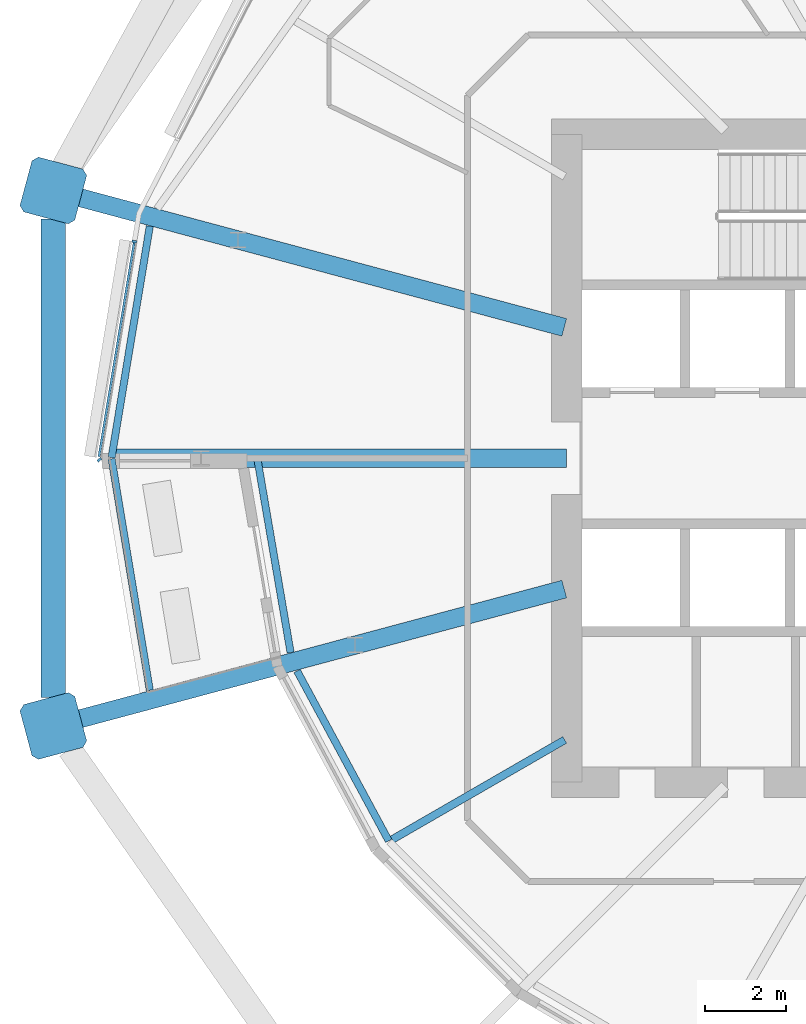
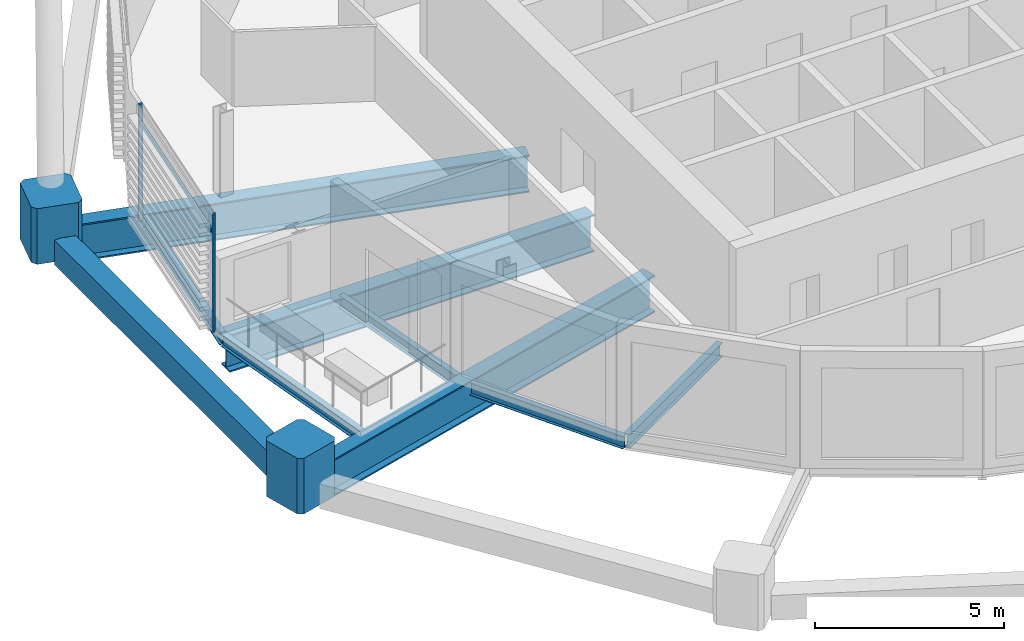
# One storey, part 5 of 38: 9 beams, 5 members, 1 element without a shape of its own.
"""IFC4 building model written with IfcOpenShell, lengths in metres."""

from ifc_helpers import new_model, si_unit, direction, frame, origin, origin_2d, place, context, subcontext, project, spatial, polyline, rectangle, hollow_rectangle, i_section, outline, extrude, material, material_profile, profile_set, type_object, element, aggregate, save


model = new_model("IFC4")

# Units and contexts
model_context = context("Model", 3, precision=1e-05, world=origin(), true_north=direction((0.0, 1.0)))
body_context = subcontext(model_context, "Body", "Model", "MODEL_VIEW")
ifc_project = project(units=[si_unit("LENGTHUNIT", "METRE"), si_unit("AREAUNIT", "SQUARE_METRE"), si_unit("VOLUMEUNIT", "CUBIC_METRE"), si_unit("PLANEANGLEUNIT", "RADIAN"), si_unit("MASSUNIT", "GRAM", prefix="KILO")], contexts=[model_context])

# Site, building, storey
site_placement = place(None, origin())
site = spatial("IfcSite", under=ifc_project, at=site_placement, CompositionType="ELEMENT")
building_placement = place(site_placement, origin())
building = spatial("IfcBuilding", under=site, at=building_placement, Name="Rimbun Link Towers", CompositionType="ELEMENT")
storey_placement = place(building_placement, frame((0.0, 0.0, 93.0)))
storey = spatial("IfcBuildingStorey", under=building, at=storey_placement, Name="L22", CompositionType="ELEMENT", Elevation=93.0)

# Curtain wall, members
ifc_material_1 = material(Name="Aluminium 6063-T6 and low-iron glass", Category="aluminium")
curtain_wall_type = type_object("IfcCurtainWallType", Name="CW1-Z2 unitised vision wall (zone 2)", PredefinedType="NOTDEFINED", material=ifc_material_1)
curtain_wall_placement = place(storey_placement, origin())
curtain_wall = element("IfcCurtainWall", 1, at=curtain_wall_placement, inside=storey, type_object=curtain_wall_type, Name="CW1 L22 T1", PredefinedType="NOTDEFINED")
ifc_material_2 = material(Name="Aluminium 6063-T6", Category="aluminium")
ifc_material_profile_1 = material_profile(ifc_material_2, rectangle(XDim=0.1201171875, YDim=0.06005859375, at=origin_2d()), Name="MULLION 60X120")
ifc_profile_set_1 = profile_set([ifc_material_profile_1], Name="Aluminium 6063-T6")
member_type_1 = type_object("IfcMemberType", Name="CW1 mullion 60X120", PredefinedType="MULLION", material=ifc_profile_set_1)
member_1_placement = place(storey_placement, frame((-55.2900390625, -0.038818359375, 0.0), z_axis=(0.0, 0.0, 1.0), x_axis=(-0.762318713614, -0.647201806915, 0.0)))
member_1 = element("IfcMember", 2, at=member_1_placement, type_object=member_type_1, Name="CW1 mullion", PredefinedType="MULLION", context=body_context, shape_type="SweptSolid", body=[
    extrude(rectangle(XDim=0.1201171875, YDim=0.06005859375, at=origin_2d()), origin(), (0.0, 0.0, 1.0), 3.800048828125),
])
member_2_placement = place(storey_placement, frame((-54.425537109375, 5.3486328125, 0.0), z_axis=(0.0, 0.0, 1.0), x_axis=(-0.986748097792, 0.162259642251, 0.0)))
member_2 = element("IfcMember", 3, at=member_2_placement, type_object=member_type_1, Name="CW1 mullion", PredefinedType="MULLION", context=body_context, shape_type="SweptSolid", body=[
    extrude(rectangle(XDim=0.1201171875, YDim=0.06005859375, at=origin_2d()), origin(), (0.0, 0.0, 1.0), 3.800048828125),
])
ifc_material_3 = material(Name="Aluminium 6063-T6", Category="aluminium")
ifc_material_profile_2 = material_profile(ifc_material_3, rectangle(XDim=0.06005859375, YDim=0.1201171875, at=origin_2d()), Name="TRANSOM 60X120")
ifc_profile_set_2 = profile_set([ifc_material_profile_2], Name="Aluminium 6063-T6")
member_type_2 = type_object("IfcMemberType", Name="CW1 transom 60X120", PredefinedType="USERDEFINED", material=ifc_profile_set_2)
member_3_placement = place(storey_placement, frame((-55.296630859375, 0.0390625, 3.199951171875), z_axis=(0.162260158784, 0.986748012854, 0.0), x_axis=(-0.986748012854, 0.162260158784, 0.0)))
member_3 = element("IfcMember", 4, at=member_3_placement, type_object=member_type_2, Name="CW1 transom", ObjectType="TRANSOM", PredefinedType="USERDEFINED", context=body_context, shape_type="SweptSolid", body=[
    extrude(rectangle(XDim=0.06005859375, YDim=0.1201171875, at=origin_2d()), origin(), (0.0, 0.0, 1.0), 5.350341796875),
])
aggregate(curtain_wall, [member_1, member_2, member_3])

# Members
ifc_material_4 = material(Name="Cast steel G20Mn5+QT, Rp0.2 300 MPa", Category="steel")
ifc_material_profile_3 = material_profile(ifc_material_4, outline(polyline([(0.699951171875, -0.570068359375), (0.699951171875, 0.570068359375), (0.570068359375, 0.699951171875), (-0.570068359375, 0.699951171875), (-0.699951171875, 0.570068359375), (-0.699951171875, -0.570068359375), (-0.570068359375, -0.699951171875), (0.570068359375, -0.699951171875), (0.699951171875, -0.570068359375)])), Name="NODE 1400x1400")
ifc_profile_set_3 = profile_set([ifc_material_profile_3], Name="Cast steel G20Mn5+QT, Rp0.2 300 MPa")
member_type_3 = type_object("IfcMemberType", Name="Diagrid node cast 1400", PredefinedType="USERDEFINED", material=ifc_profile_set_3)
for number, where, z_axis, x_axis, name in (
    (5, (-56.426025390625, 6.61181640625, -0.89990234375), (0.0, 0.0, 1.0), (-0.965925826289, 0.258819045103, 0.0), "Diagrid node L22 11"),
    (6, (-56.426025390625, -6.61181640625, -0.89990234375), (0.0, 0.0, 1.0), (-0.965925826289, -0.258819045103, 0.0), "Diagrid node L22 13"),
):
    element("IfcMember", number, at=place(storey_placement, frame(where, z_axis=z_axis, x_axis=x_axis)), inside=storey, type_object=member_type_3, Name=name, ObjectType="Diagrid node", PredefinedType="USERDEFINED", context=body_context, shape_type="SweptSolid", body=[
        extrude(outline(polyline([(0.699951171875, -0.570068359375), (0.699951171875, 0.570068359375), (0.570068359375, 0.699951171875), (-0.570068359375, 0.699951171875), (-0.699951171875, 0.570068359375), (-0.699951171875, -0.570068359375), (-0.570068359375, -0.699951171875), (0.570068359375, -0.699951171875), (0.699951171875, -0.570068359375)])), origin(), (0.0, 0.0, 1.0), 1.7998046875),
    ])

# Beams
ifc_material_5 = material(Name="Steel S355J2", Category="steel")
ifc_material_profile_4 = material_profile(ifc_material_5, hollow_rectangle(XDim=0.60009765625, YDim=0.800048828125, WallThickness=0.0400390625, at=origin_2d()), Name="Exoskeleton ring girder BOX 600x800x40")
ifc_profile_set_4 = profile_set([ifc_material_profile_4], Name="Steel S355J2")
beam_type_1 = type_object("IfcBeamType", Name="Exoskeleton ring girder BOX 600x800x40", PredefinedType="BEAM", material=ifc_profile_set_4)
beam_1_placement = place(storey_placement, frame((-56.426025390625, 5.911865234375, -0.56005859375), z_axis=(0.0, -1.0, 0.0), x_axis=(1.0, 0.0, 0.0)))
element("IfcBeam", 7, at=beam_1_placement, inside=storey, type_object=beam_type_1, Name="Exoskeleton ring girder L22 05", PredefinedType="BEAM", context=body_context, shape_type="SweptSolid", body=[
    extrude(hollow_rectangle(XDim=0.60009765625, YDim=0.800048828125, WallThickness=0.0400390625, at=origin_2d()), origin(), (0.0, 0.0, 1.0), 11.82373046875),
])
ifc_material_6 = material(Name="Steel S355J2", Category="steel")
ifc_material_profile_5 = material_profile(ifc_material_6, i_section(OverallWidth=0.449951171875, OverallDepth=1.199951171875, WebThickness=0.030029296875, FlangeThickness=0.044921875, at=origin_2d()), Name="PG 1200x450x30/45")
ifc_profile_set_5 = profile_set([ifc_material_profile_5], Name="Steel S355J2")
beam_type_2 = type_object("IfcBeamType", Name="PG 1200x450x30/45", PredefinedType="BEAM", material=ifc_profile_set_5)
beam_2_placement = place(storey_placement, frame((-43.80908203125, 3.231201171875, -0.760009765625), z_axis=(-0.965927491892, 0.258812828907, 0.0), x_axis=(-0.258812828907, -0.965927491892, 0.0)))
element("IfcBeam", 8, at=beam_2_placement, inside=storey, type_object=beam_type_2, Name="Radial beam T1 L22 11", PredefinedType="BEAM", context=body_context, shape_type="SweptSolid", body=[
    extrude(i_section(OverallWidth=0.449951171875, OverallDepth=1.199951171875, WebThickness=0.030029296875, FlangeThickness=0.044921875, at=origin_2d()), origin(), (0.0, 0.0, 1.0), 12.56201171875),
])
beam_3_placement = place(storey_placement, frame((-43.7509765625, 0.0, -0.760009765625), z_axis=(-1.0, 0.0, 0.0), x_axis=(0.0, -1.0, 0.0)))
element("IfcBeam", 9, at=beam_3_placement, inside=storey, type_object=beam_type_2, Name="Radial beam T1 L22 12", PredefinedType="BEAM", context=body_context, shape_type="SweptSolid", body=[
    extrude(i_section(OverallWidth=0.449951171875, OverallDepth=1.199951171875, WebThickness=0.030029296875, FlangeThickness=0.044921875, at=origin_2d()), origin(), (0.0, 0.0, 1.0), 11.14990234375),
])
beam_4_placement = place(storey_placement, frame((-43.80908203125, -3.231201171875, -0.760009765625), z_axis=(-0.965927491892, -0.258812828907, 0.0), x_axis=(0.258812828907, -0.965927491892, 0.0)))
element("IfcBeam", 10, at=beam_4_placement, inside=storey, type_object=beam_type_2, Name="Radial beam T1 L22 13", PredefinedType="BEAM", context=body_context, shape_type="SweptSolid", body=[
    extrude(i_section(OverallWidth=0.449951171875, OverallDepth=1.199951171875, WebThickness=0.030029296875, FlangeThickness=0.044921875, at=origin_2d()), origin(), (0.0, 0.0, 1.0), 12.56201171875),
])
ifc_material_7 = material(Name="Steel S355J2", Category="steel")
ifc_material_profile_6 = material_profile(ifc_material_7, i_section(OverallWidth=0.177978515625, OverallDepth=0.406494140625, WebThickness=0.0078125, FlangeThickness=0.0126953125, at=origin_2d()), Name="UB 406x178x60")
ifc_profile_set_6 = profile_set([ifc_material_profile_6], Name="Steel S355J2")
beam_type_3 = type_object("IfcBeamType", Name="UB 406x178x60", PredefinedType="BEAM", material=ifc_profile_set_6)
beam_5_placement = place(storey_placement, frame((-54.0439453125, 5.730712890625, -0.36328125), z_axis=(-0.163018280744, -0.986623048658, 0.0), x_axis=(0.986623048658, -0.163018280744, 0.0)))
element("IfcBeam", 11, at=beam_5_placement, inside=storey, type_object=beam_type_3, Name="Edge beam T1 L22 11", PredefinedType="BEAM", context=body_context, shape_type="SweptSolid", body=[
    extrude(i_section(OverallWidth=0.177978515625, OverallDepth=0.406494140625, WebThickness=0.0078125, FlangeThickness=0.0126953125, at=origin_2d()), origin(), (0.0, 0.0, 1.0), 5.792724609375),
])
beam_6_placement = place(storey_placement, frame((-51.3837890625, -0.039306640625, -0.36328125), z_axis=(0.169085876641, -0.985601322199, 0.0), x_axis=(0.985601322199, 0.169085876641, 0.0)))
element("IfcBeam", 12, at=beam_6_placement, inside=storey, type_object=beam_type_3, Name="Edge beam T1 L22 12 recess", PredefinedType="BEAM", context=body_context, shape_type="SweptSolid", body=[
    extrude(i_section(OverallWidth=0.177978515625, OverallDepth=0.406494140625, WebThickness=0.0078125, FlangeThickness=0.0126953125, at=origin_2d()), origin(), (0.0, 0.0, 1.0), 4.829833984375),
])
beam_7_placement = place(storey_placement, frame((-54.98828125, -0.015380859375, -0.36328125), z_axis=(0.163018280744, -0.986623048658, 0.0), x_axis=(0.986623048658, 0.163018280744, 0.0)))
element("IfcBeam", 13, at=beam_7_placement, inside=storey, type_object=beam_type_3, Name="Edge beam T1 L22 12 terrace", PredefinedType="BEAM", context=body_context, shape_type="SweptSolid", body=[
    extrude(i_section(OverallWidth=0.177978515625, OverallDepth=0.406494140625, WebThickness=0.0078125, FlangeThickness=0.0126953125, at=origin_2d()), origin(), (0.0, 0.0, 1.0), 5.792724609375),
])
beam_8_placement = place(storey_placement, frame((-50.406982421875, -5.25439453125, -0.36328125), z_axis=(0.474863332351, -0.880059552297, 0.0), x_axis=(0.880059552297, 0.474863332351, 0.0)))
element("IfcBeam", 14, at=beam_8_placement, inside=storey, type_object=beam_type_3, Name="Edge beam T1 L22 13 recess", PredefinedType="BEAM", context=body_context, shape_type="SweptSolid", body=[
    extrude(i_section(OverallWidth=0.177978515625, OverallDepth=0.406494140625, WebThickness=0.0078125, FlangeThickness=0.0126953125, at=origin_2d()), origin(), (0.0, 0.0, 1.0), 4.765869140625),
])
ifc_material_8 = material(Name="Steel S355J2", Category="steel")
ifc_material_profile_7 = material_profile(ifc_material_8, i_section(OverallWidth=0.18994140625, OverallDepth=0.453369140625, WebThickness=0.008544921875, FlangeThickness=0.0126953125, at=origin_2d()), Name="UB 457x191x67")
ifc_profile_set_7 = profile_set([ifc_material_profile_7], Name="Steel S355J2")
beam_type_4 = type_object("IfcBeamType", Name="UB 457x191x67", PredefinedType="BEAM", material=ifc_profile_set_7)
beam_9_placement = place(storey_placement, frame((-43.79833984375, -6.9560546875, -0.38671875), z_axis=(-0.866020293397, -0.500008851346, 0.0), x_axis=(0.500008851346, -0.866020293397, 0.0)))
element("IfcBeam", 15, at=beam_9_placement, inside=storey, type_object=beam_type_4, Name="Radial beam T1 L22 14", PredefinedType="BEAM", context=body_context, shape_type="SweptSolid", body=[
    extrude(i_section(OverallWidth=0.18994140625, OverallDepth=0.453369140625, WebThickness=0.008544921875, FlangeThickness=0.0126953125, at=origin_2d()), origin(), (0.0, 0.0, 1.0), 4.91943359375),
])

save(model, "model.ifc")
